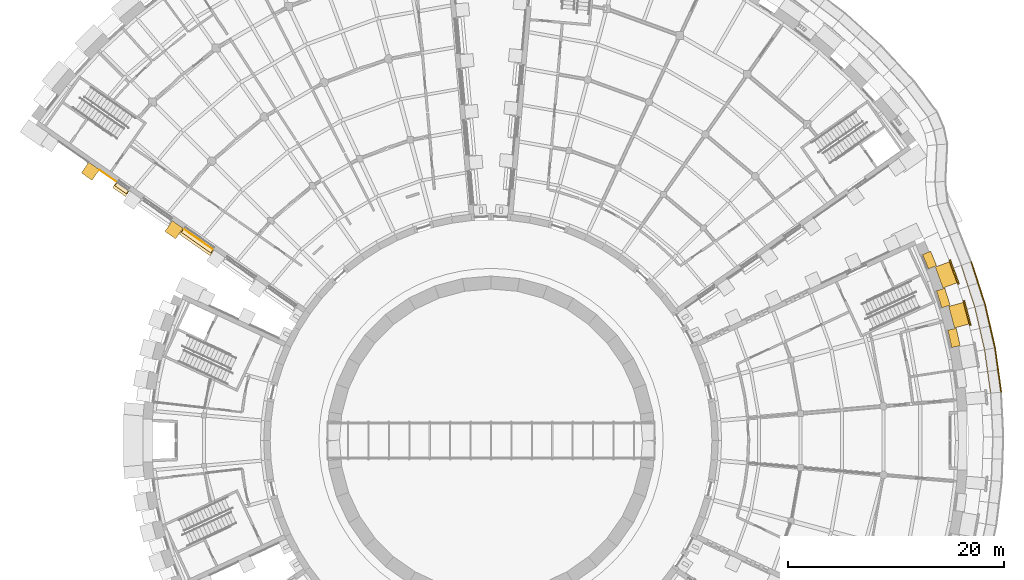
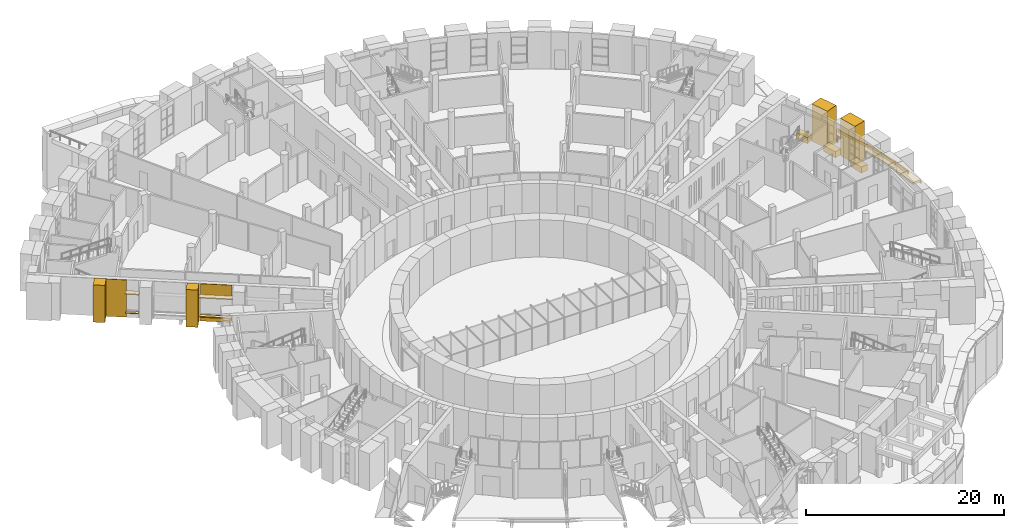
# One storey, part 75 of 85: 28 coverings.
"""IFC4 building model written with IfcOpenShell, lengths in metres."""

from ifc_helpers import new_model, si_unit, direction, frame, origin, origin_2d, place, context, subcontext, project, spatial, polyline, rectangle, outline, extrude, material, layer, layer_set, type_object, element, save


model = new_model("IFC4")

# Units and contexts
model_context = context("Model", 3, precision=1e-05, world=origin(), true_north=direction((0.0, 1.0)))
body_context = subcontext(model_context, "Body", "Model", "MODEL_VIEW")
ifc_project = project(units=[si_unit("LENGTHUNIT", "METRE"), si_unit("AREAUNIT", "SQUARE_METRE"), si_unit("VOLUMEUNIT", "CUBIC_METRE"), si_unit("PLANEANGLEUNIT", "RADIAN"), si_unit("MASSUNIT", "GRAM", prefix="KILO")], contexts=[model_context])

# Site, building, storey
site_placement = place(None, origin())
site = spatial("IfcSite", under=ifc_project, at=site_placement, CompositionType="ELEMENT")
building_placement = place(site_placement, origin())
building = spatial("IfcBuilding", under=site, at=building_placement, Name="Volute Hill Aquarium", CompositionType="ELEMENT")
storey_placement = place(building_placement, origin())
storey = spatial("IfcBuildingStorey", under=building, at=storey_placement, Name="L01", CompositionType="ELEMENT", Elevation=0.0)

# Coverings
ifc_material_1 = material(Name="Blue limestone", Category="masonry")
covering_type_1 = type_object("IfcCoveringType", Name="Bluestone plinth block 275x750", PredefinedType="CLADDING", material=ifc_material_1)
for number, where, z_axis, x_axis, name in (
    (1, (42.77001953125, 9.48193359375, 0.0), (0.0, 0.0, 1.0), (-0.216435504842, 0.976296918076, 0.0), "Bluestone plinth BPN S4 L01 8"),
    (2, (41.781005859375, 13.173583984375, 0.0), (0.0, 0.0, 1.0), (-0.300712819287, 0.953714737391, 0.0), "Bluestone plinth BPN S4 L01 9"),
):
    element("IfcCovering", number, at=place(storey_placement, frame(where, z_axis=z_axis, x_axis=x_axis)), inside=storey, type_object=covering_type_1, Name=name, PredefinedType="CLADDING", context=body_context, shape_type="SweptSolid", body=[
        extrude(rectangle(XDim=1.637451171875, YDim=0.800048828125, at=origin_2d()), origin(), (0.0, 0.0, 1.0), 0.75),
    ])
covering_1_placement = place(storey_placement, frame((40.511962890625, 16.67236328125, 0.0), z_axis=(0.0, 0.0, 1.0), x_axis=(-0.382695820162, 0.923874401221, 0.0)))
element("IfcCovering", 3, at=covering_1_placement, inside=storey, type_object=covering_type_1, Name="Bluestone plinth BPN S4 L01 10", PredefinedType="CLADDING", context=body_context, shape_type="SweptSolid", body=[
    extrude(rectangle(XDim=1.437255859375, YDim=0.800048828125, at=origin_2d()), origin(), (0.0, 0.0, 1.0), 0.75),
])
ifc_material_2 = material(Name="Blue limestone", Category="masonry")
ifc_layer_1 = layer(ifc_material_2, 0.14990234375)
ifc_layer_set_1 = layer_set([ifc_layer_1], Name="Bluestone plinth plate 150x750")
covering_type_2 = type_object("IfcCoveringType", Name="Bluestone plinth plate 150x750", PredefinedType="CLADDING", material=ifc_layer_set_1)
for number, where, z_axis, x_axis, name in (
    (4, (43.97607421875, 11.783203125, 0.0), (0.0, 0.0, 1.0), (-0.258819045103, 0.965925826289, 0.0), "Bluestone plinth BP S4 L01 8"),
    (5, (42.781494140625, 15.5712890625, 0.0), (0.0, 0.0, 1.0), (-0.342020143326, 0.939692620786, 0.0), "Bluestone plinth BP S4 L01 9"),
):
    element("IfcCovering", number, at=place(storey_placement, frame(where, z_axis=z_axis, x_axis=x_axis)), inside=storey, type_object=covering_type_2, Name=name, PredefinedType="CLADDING", context=body_context, shape_type="SweptSolid", body=[
        extrude(rectangle(XDim=2.362060546875, YDim=0.14990234375, at=origin_2d()), origin(), (0.0, 0.0, 1.0), 0.75),
    ])
ifc_material_3 = material(Name="Precast concrete C40/50", Category="concrete")
covering_type_3 = type_object("IfcCoveringType", Name="End wall precast fin C40/50 1200x1200", PredefinedType="CLADDING", material=ifc_material_3)
for number, where, z_axis, x_axis, name in (
    (6, (-29.288818359375, 19.470703125, 0.0), (0.0, 0.0, 1.0), (-0.819151442029, 0.573577296467, 0.0), "End wall fin EWF S6B L01 4"),
    (7, (-37.0107421875, 24.87744140625, 0.0), (0.0, 0.0, 1.0), (-0.819151442029, 0.573577296467, 0.0), "End wall fin EWF S6B L01 6"),
):
    element("IfcCovering", number, at=place(storey_placement, frame(where, z_axis=z_axis, x_axis=x_axis)), inside=storey, type_object=covering_type_3, Name=name, PredefinedType="CLADDING", context=body_context, shape_type="SweptSolid", body=[
        extrude(rectangle(XDim=1.199951171875, YDim=1.199951171875, at=origin_2d()), origin(), (0.0, 0.0, 1.0), 4.60009765625),
    ])
ifc_material_4 = material(Name="Precast concrete C40/50", Category="concrete")
ifc_layer_2 = layer(ifc_material_4, 0.050048828125)
ifc_layer_set_2 = layer_set([ifc_layer_2], Name="End wall precast infill panel C40/50 50")
covering_type_4 = type_object("IfcCoveringType", Name="End wall precast infill panel C40/50 50", PredefinedType="CLADDING", material=ifc_layer_set_2)
covering_2_placement = place(storey_placement, frame((-25.697998046875, 17.68896484375, 0.0), z_axis=(0.573543926643, 0.81917480687, 0.0), x_axis=(-0.81917480687, 0.573543926643, 0.0)))
element("IfcCovering", 8, at=covering_2_placement, inside=storey, type_object=covering_type_4, Name="End wall panel EWP S6B L01 3", PredefinedType="CLADDING", context=body_context, shape_type="SweptSolid", body=[
    extrude(outline(polyline([(0.0, 0.0), (3.2133852221443258, 0.0), (3.2133852221443258, 0.800048828125), (0.0, 0.800048828125), (0.0, 0.0)])), origin(), (0.0, 0.0, -1.0), 0.050048828125),
])
covering_3_placement = place(storey_placement, frame((-25.697998046875, 17.68896484375, 3.199951171875), z_axis=(0.573543926643, 0.81917480687, 0.0), x_axis=(-0.81917480687, 0.573543926643, 0.0)))
element("IfcCovering", 9, at=covering_3_placement, inside=storey, type_object=covering_type_4, Name="End wall panel EWP S6B L01 3", PredefinedType="CLADDING", context=body_context, shape_type="SweptSolid", body=[
    extrude(outline(polyline([(0.0, 0.0), (3.213385222144326, 0.0), (3.213385222144326, 1.400146484375), (0.0, 1.400146484375), (0.0, 0.0)])), origin(), (0.0, 0.0, -1.0), 0.050048828125),
])
covering_4_placement = place(storey_placement, frame((-34.479248046875, 23.837646484375, 0.0), z_axis=(0.573525664312, 0.819187592908, 0.0), x_axis=(-0.819187592908, 0.573525664312, 0.0)))
element("IfcCovering", 10, at=covering_4_placement, inside=storey, type_object=covering_type_4, Name="End wall panel EWP S6B L01 5", PredefinedType="CLADDING", context=body_context, shape_type="SweptSolid", body=[
    extrude(outline(polyline([(0.0, 0.0), (2.0701006655011684, 0.0), (2.0701006655011684, 4.60009765625), (0.0, 4.60009765625), (0.0, 0.0)])), origin(), (0.0, 0.0, -1.0), 0.050048828125),
])
ifc_material_5 = material(Name="Precast concrete C40/50", Category="concrete")
ifc_layer_3 = layer(ifc_material_5, 0.1201171875)
ifc_layer_set_3 = layer_set([ifc_layer_3], Name="End wall window head blade precast C40/50 600x120")
covering_type_5 = type_object("IfcCoveringType", Name="End wall window head blade precast C40/50 600x120", PredefinedType="CLADDING", material=ifc_layer_set_3)
covering_5_placement = place(storey_placement, frame((-27.215087890625, 18.32373046875, 3.199951171875), z_axis=(0.0, 0.0, 1.0), x_axis=(-0.819151442029, 0.573577296467, 0.0)))
element("IfcCovering", 11, at=covering_5_placement, inside=storey, type_object=covering_type_5, Name="End wall window head blade EWB S6B L01 3.1", PredefinedType="CLADDING", context=body_context, shape_type="SweptSolid", body=[
    extrude(rectangle(XDim=3.473388671875, YDim=0.60009765625, at=origin_2d()), origin(), (0.0, 0.0, 1.0), 0.1201171875),
])
covering_6_placement = place(storey_placement, frame((-34.188720703125, 23.206787109375, 3.199951171875), z_axis=(0.0, 0.0, 1.0), x_axis=(-0.819151442029, 0.573577296467, 0.0)))
element("IfcCovering", 12, at=covering_6_placement, inside=storey, type_object=covering_type_5, Name="End wall window head blade EWB S6B L01 5.1", PredefinedType="CLADDING", context=body_context, shape_type="SweptSolid", body=[
    extrude(rectangle(XDim=1.4599609375, YDim=0.60009765625, at=origin_2d()), origin(), (0.0, 0.0, 1.0), 0.1201171875),
])
ifc_material_6 = material(Name="Precast concrete C40/50", Category="concrete")
ifc_layer_4 = layer(ifc_material_6, 0.10009765625)
ifc_layer_set_4 = layer_set([ifc_layer_4], Name="End wall window sill precast C40/50 350x100")
covering_type_6 = type_object("IfcCoveringType", Name="End wall window sill precast C40/50 350x100", PredefinedType="CLADDING", material=ifc_layer_set_4)
covering_7_placement = place(storey_placement, frame((-27.143310546875, 18.426025390625, 0.699951171875), z_axis=(0.0, 0.0, 1.0), x_axis=(-0.819151442029, 0.573577296467, 0.0)))
element("IfcCovering", 13, at=covering_7_placement, inside=storey, type_object=covering_type_6, Name="End wall window sill EWS S6B L01 3.1", PredefinedType="CLADDING", context=body_context, shape_type="SweptSolid", body=[
    extrude(rectangle(XDim=3.313232421875, YDim=0.35009765625, at=origin_2d()), origin(), (0.0, 0.0, 1.0), 0.10009765625),
])
covering_8_placement = place(storey_placement, frame((-34.116943359375, 23.30908203125, 0.699951171875), z_axis=(0.0, 0.0, 1.0), x_axis=(-0.819151442029, 0.573577296467, 0.0)))
element("IfcCovering", 14, at=covering_8_placement, inside=storey, type_object=covering_type_6, Name="End wall window sill EWS S6B L01 5.1", PredefinedType="CLADDING", context=body_context, shape_type="SweptSolid", body=[
    extrude(rectangle(XDim=1.300048828125, YDim=0.35009765625, at=origin_2d()), origin(), (0.0, 0.0, 1.0), 0.10009765625),
])
ifc_material_7 = material(Name="Precast concrete C40/50", Category="concrete")
ifc_layer_5 = layer(ifc_material_7, 0.25)
ifc_layer_set_5 = layer_set([ifc_layer_5], Name="Plinth coping precast concrete C40/50 1000")
covering_type_7 = type_object("IfcCoveringType", Name="Plinth coping precast concrete C40/50 1000", PredefinedType="CLADDING", material=ifc_layer_set_5)
covering_9_placement = place(storey_placement, frame((0.0, 0.0, -0.10009765625)))
element("IfcCovering", 15, at=covering_9_placement, inside=storey, type_object=covering_type_7, Name="cp/E50UP/L01/0", PredefinedType="CLADDING", context=body_context, shape_type="SweptSolid", body=[
    extrude(outline(polyline([(47.12744140625, 4.4716796875), (46.843017578125, 6.516845703125), (45.8525390625, 6.37890625), (46.131103515625, 4.377197265625), (46.131103515625, 4.377197265625), (47.12744140625, 4.4716796875), (47.12744140625, 4.4716796875)])), origin(), (0.0, 0.0, 1.0), 0.25),
])
covering_10_placement = place(storey_placement, frame((0.0, 0.0, -0.10009765625)))
element("IfcCovering", 16, at=covering_10_placement, inside=storey, type_object=covering_type_7, Name="cp/E50UP/L01/1", PredefinedType="CLADDING", context=body_context, shape_type="SweptSolid", body=[
    extrude(outline(polyline([(46.558349609375, 8.56201171875), (46.558349609375, 8.56201171875), (45.573974609375, 8.380859375), (45.573974609375, 8.380859375), (45.8525390625, 6.37890625), (46.843017578125, 6.516845703125), (46.558349609375, 8.56201171875)])), origin(), (0.0, 0.0, 1.0), 0.25),
])
covering_11_placement = place(storey_placement, frame((0.0, 0.0, -0.10009765625)))
element("IfcCovering", 17, at=covering_11_placement, inside=storey, type_object=covering_type_7, Name="cp/E51UP/L01/0", PredefinedType="CLADDING", context=body_context, shape_type="SweptSolid", body=[
    extrude(outline(polyline([(46.558349609375, 8.56201171875), (46.0966796875, 10.57470703125), (45.1220703125, 10.35107421875), (45.573974609375, 8.380859375), (46.558349609375, 8.56201171875)])), origin(), (0.0, 0.0, 1.0), 0.25),
])
covering_12_placement = place(storey_placement, frame((0.0, 0.0, -0.10009765625)))
element("IfcCovering", 18, at=covering_12_placement, inside=storey, type_object=covering_type_7, Name="cp/E51UP/L01/1", PredefinedType="CLADDING", context=body_context, shape_type="SweptSolid", body=[
    extrude(outline(polyline([(46.0966796875, 10.57470703125), (45.635009765625, 12.587158203125), (44.670166015625, 12.321044921875), (44.670166015625, 12.321044921875), (45.1220703125, 10.35107421875), (46.0966796875, 10.57470703125)])), origin(), (0.0, 0.0, 1.0), 0.25),
])
covering_13_placement = place(storey_placement, frame((0.0, 0.0, -0.10009765625)))
element("IfcCovering", 19, at=covering_13_placement, inside=storey, type_object=covering_type_7, Name="cp/E52UP/L01/0", PredefinedType="CLADDING", context=body_context, shape_type="SweptSolid", body=[
    extrude(outline(polyline([(45.635009765625, 12.587158203125), (44.998291015625, 14.555908203125), (44.046875, 14.248291015625), (44.670166015625, 12.321044921875), (45.635009765625, 12.587158203125)])), origin(), (0.0, 0.0, 1.0), 0.25),
])
covering_14_placement = place(storey_placement, frame((0.0, 0.0, -0.10009765625)))
element("IfcCovering", 20, at=covering_14_placement, inside=storey, type_object=covering_type_7, Name="cp/E52UP/L01/1", PredefinedType="CLADDING", context=body_context, shape_type="SweptSolid", body=[
    extrude(outline(polyline([(44.363525390625, 16.519287109375), (44.363525390625, 16.519287109375), (43.421875, 16.1806640625), (44.046875, 14.248291015625), (44.998291015625, 14.555908203125), (44.363525390625, 16.519287109375)])), origin(), (0.0, 0.0, 1.0), 0.25),
])
ifc_material_8 = material(Name="Precast concrete C40/50", Category="concrete")
covering_type_8 = type_object("IfcCoveringType", Name="Projecting pier precast concrete C40/50 2062x1400", PredefinedType="CLADDING", material=ifc_material_8)
for number, where, z_axis, x_axis, name in (
    (21, (43.227294921875, 11.582763671875, 0.0), (0.0, 0.0, 1.0), (-0.258819045103, 0.965925826289, 0.0), "Projecting pier PP S4 L01 8"),
    (22, (42.053466796875, 15.30615234375, 0.0), (0.0, 0.0, 1.0), (-0.342020143326, 0.939692620786, 0.0), "Projecting pier PP S4 L01 9"),
):
    element("IfcCovering", number, at=place(storey_placement, frame(where, z_axis=z_axis, x_axis=x_axis)), inside=storey, type_object=covering_type_8, Name=name, PredefinedType="CLADDING", context=body_context, shape_type="SweptSolid", body=[
        extrude(rectangle(XDim=2.06201171875, YDim=1.39990234375, at=origin_2d()), origin(), (0.0, 0.0, 1.0), 4.60009765625),
    ])
ifc_material_9 = material(Name="Precast concrete C40/50", Category="concrete")
ifc_layer_6 = layer(ifc_material_9, 0.10009765625)
ifc_layer_set_6 = layer_set([ifc_layer_6], Name="Retained ground face precast concrete C40/50 100")
covering_type_9 = type_object("IfcCoveringType", Name="Retained ground face precast concrete C40/50 100", PredefinedType="CLADDING", material=ifc_layer_set_6)
covering_15_placement = place(storey_placement, frame((0.0, 0.0, -0.35009765625)))
element("IfcCovering", 23, at=covering_15_placement, inside=storey, type_object=covering_type_9, Name="tg/E50UP/L01/0", PredefinedType="CLADDING", context=body_context, shape_type="SweptSolid", body=[
    extrude(outline(polyline([(47.17724609375, 4.476318359375), (46.892578125, 6.523681640625), (46.79345703125, 6.510009765625), (47.07763671875, 4.467041015625), (47.07763671875, 4.467041015625), (47.17724609375, 4.476318359375), (47.17724609375, 4.476318359375)])), origin(), (0.0, 0.0, 1.0), 0.35009765625),
])
covering_16_placement = place(storey_placement, frame((0.0, 0.0, -0.35009765625)))
element("IfcCovering", 24, at=covering_16_placement, inside=storey, type_object=covering_type_9, Name="tg/E50UP/L01/1", PredefinedType="CLADDING", context=body_context, shape_type="SweptSolid", body=[
    extrude(outline(polyline([(46.607666015625, 8.571044921875), (46.607666015625, 8.571044921875), (46.50927734375, 8.552978515625), (46.50927734375, 8.552978515625), (46.79345703125, 6.510009765625), (46.892578125, 6.523681640625), (46.607666015625, 8.571044921875)])), origin(), (0.0, 0.0, 1.0), 0.35009765625),
])
covering_17_placement = place(storey_placement, frame((0.0, 0.0, -0.35009765625)))
element("IfcCovering", 25, at=covering_17_placement, inside=storey, type_object=covering_type_9, Name="tg/E51UP/L01/0", PredefinedType="CLADDING", context=body_context, shape_type="SweptSolid", body=[
    extrude(outline(polyline([(46.607666015625, 8.571044921875), (46.1455078125, 10.585693359375), (46.0478515625, 10.5634765625), (46.50927734375, 8.552978515625), (46.607666015625, 8.571044921875)])), origin(), (0.0, 0.0, 1.0), 0.35009765625),
])
covering_18_placement = place(storey_placement, frame((0.0, 0.0, -0.35009765625)))
element("IfcCovering", 26, at=covering_18_placement, inside=storey, type_object=covering_type_9, Name="tg/E51UP/L01/1", PredefinedType="CLADDING", context=body_context, shape_type="SweptSolid", body=[
    extrude(outline(polyline([(45.683349609375, 12.6005859375), (45.683349609375, 12.6005859375), (45.586669921875, 12.573974609375), (46.0478515625, 10.5634765625), (46.1455078125, 10.585693359375), (45.683349609375, 12.6005859375)])), origin(), (0.0, 0.0, 1.0), 0.35009765625),
])
covering_19_placement = place(storey_placement, frame((0.0, 0.0, -0.35009765625)))
element("IfcCovering", 27, at=covering_19_placement, inside=storey, type_object=covering_type_9, Name="tg/E52UP/L01/0", PredefinedType="CLADDING", context=body_context, shape_type="SweptSolid", body=[
    extrude(outline(polyline([(45.683349609375, 12.6005859375), (45.0458984375, 14.5712890625), (44.950927734375, 14.54052734375), (45.586669921875, 12.573974609375), (45.586669921875, 12.573974609375), (45.683349609375, 12.6005859375)])), origin(), (0.0, 0.0, 1.0), 0.35009765625),
])
covering_20_placement = place(storey_placement, frame((0.0, 0.0, -0.35009765625)))
element("IfcCovering", 28, at=covering_20_placement, inside=storey, type_object=covering_type_9, Name="tg/E52UP/L01/1", PredefinedType="CLADDING", context=body_context, shape_type="SweptSolid", body=[
    extrude(outline(polyline([(45.0458984375, 14.5712890625), (44.41064453125, 16.5361328125), (44.31640625, 16.502197265625), (44.950927734375, 14.54052734375), (45.0458984375, 14.5712890625)])), origin(), (0.0, 0.0, 1.0), 0.35009765625),
])

save(model, "model.ifc")
